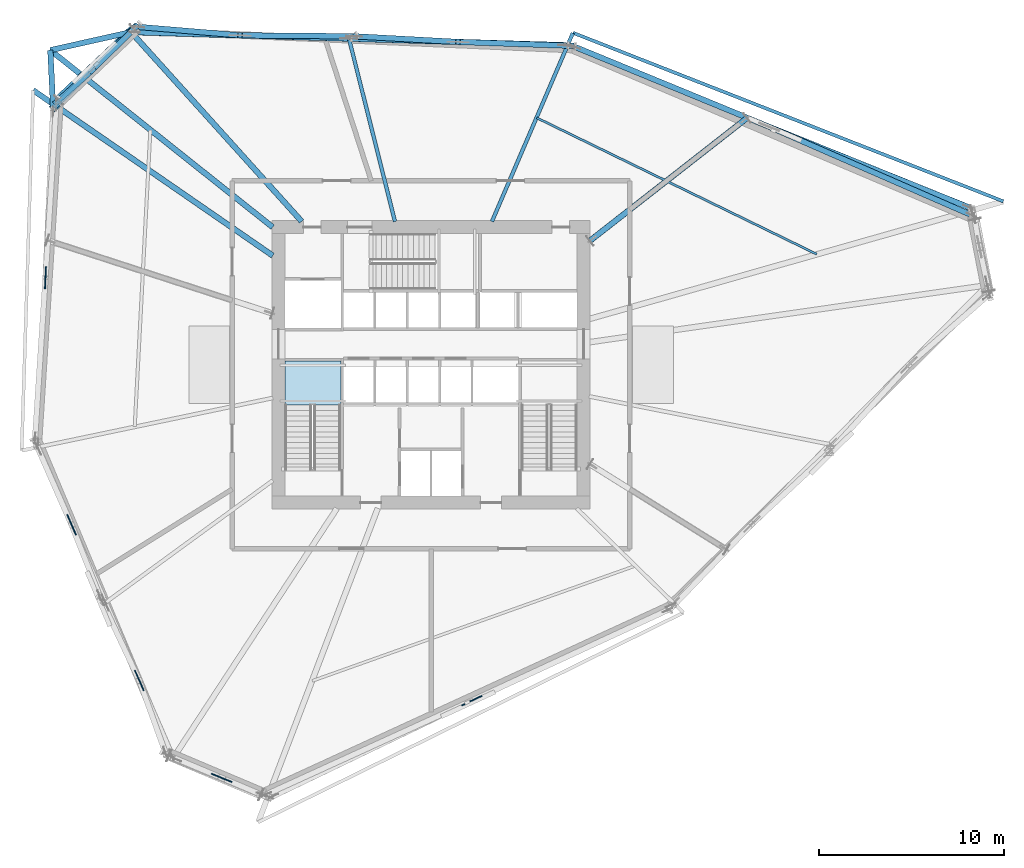
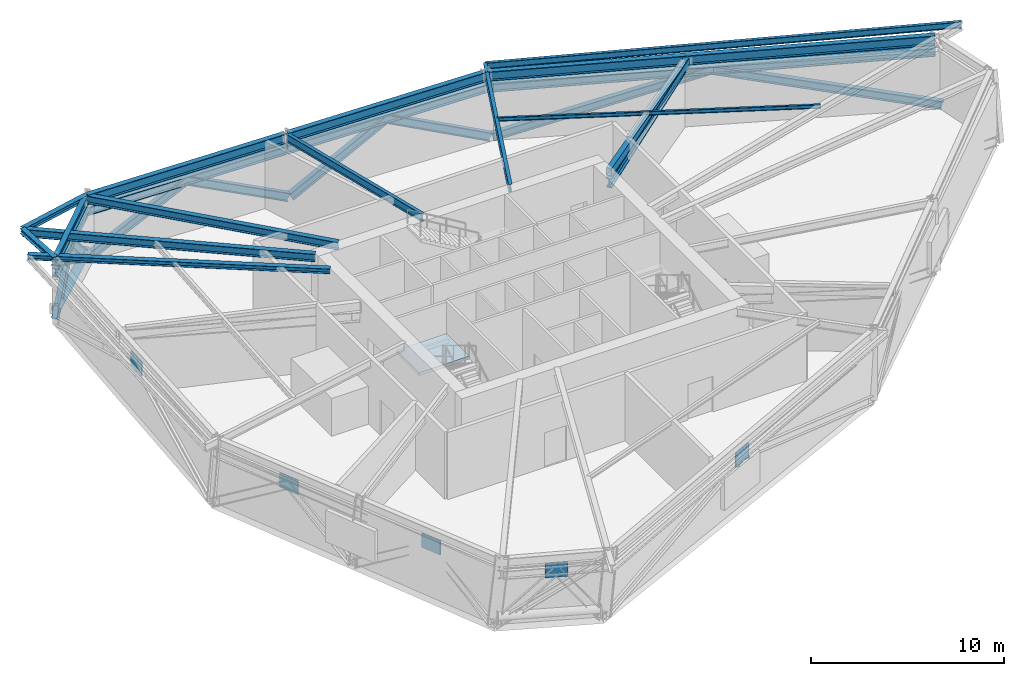
# One storey, part 3 of 15: 16 members, 13 beams, 5 plates, 1 slab, 1 element without a shape of its own.
"""IFC4 building model written with IfcOpenShell, lengths in metres."""

from ifc_helpers import new_model, si_unit, direction, frame, origin, origin_2d, place, context, subcontext, project, spatial, polyline, rectangle, hollow_rectangle, hollow_circle, i_section, outline, extrude, source, transform, mapped, material, layer, layer_set, material_profile, profile_set, type_object, element, aggregate, save


model = new_model("IFC4")

# Units and contexts
model_context = context("Model", 3, precision=1e-05, world=origin(), true_north=direction((0.0, 1.0)))
body_context = subcontext(model_context, "Body", "Model", "MODEL_VIEW")
ifc_project = project(units=[si_unit("LENGTHUNIT", "METRE"), si_unit("AREAUNIT", "SQUARE_METRE"), si_unit("VOLUMEUNIT", "CUBIC_METRE"), si_unit("PLANEANGLEUNIT", "RADIAN"), si_unit("MASSUNIT", "GRAM", prefix="KILO")], contexts=[model_context])

# Site, building, storey
site_placement = place(None, origin())
site = spatial("IfcSite", under=ifc_project, at=site_placement, CompositionType="ELEMENT")
building_placement = place(site_placement, origin())
building = spatial("IfcBuilding", under=site, at=building_placement, Name="Olszyna Solenne Hotel", CompositionType="ELEMENT")
storey_placement = place(building_placement, frame((0.0, 0.0, 79.89990234375)))
storey = spatial("IfcBuildingStorey", under=building, at=storey_placement, Name="L20", CompositionType="ELEMENT", Elevation=79.89990234375)

# Beams
ifc_material_1 = material(Name="Steel S355J2", Category="steel")
ifc_material_profile_1 = material_profile(ifc_material_1, i_section(OverallWidth=0.300048828125, OverallDepth=0.60009765625, WebThickness=0.015380859375, FlangeThickness=0.030029296875, at=origin_2d()), Name="HEB 600", Category="load-bearing")
ifc_profile_set_1 = profile_set([ifc_material_profile_1], Name="Steel S355J2")
beam_type_1 = type_object("IfcBeamType", Name="BM-S2", PredefinedType="BEAM", material=ifc_profile_set_1)
shared_shape_1 = source(origin(), body_context, "Body", "SweptSolid", [
    extrude(i_section(OverallWidth=0.300048828125, OverallDepth=0.60009765625, WebThickness=0.015380859375, FlangeThickness=0.030029296875, at=origin_2d()), origin(), (0.0, 0.0, 1.0), 23.455322265625),
])
beam_1_placement = place(storey_placement, frame((67.153076171875, 35.091552734375, 3.9501953125), z_axis=(-0.927379388636, 0.374122265486, 0.0), x_axis=(-0.374122265486, -0.927379388636, 0.0)))
element("IfcBeam", 1, at=beam_1_placement, inside=storey, type_object=beam_type_1, Name="Perimeter spandrel beam BM-S2 B-L20-0601", PredefinedType="BEAM", context=body_context, shape_type="MappedRepresentation", body=[
    mapped(shared_shape_1, transform((0.0, 0.0, 0.0), x_axis=(1.0, 0.0, 0.0), y_axis=(0.0, 1.0, 0.0), z_axis=(0.0, 0.0, 1.0), scale=1.0)),
])
shared_shape_2 = source(origin(), body_context, "Body", "SweptSolid", [
    extrude(i_section(OverallWidth=0.300048828125, OverallDepth=0.60009765625, WebThickness=0.015380859375, FlangeThickness=0.030029296875, at=origin_2d()), origin(), (0.0, 0.0, 1.0), 11.66748046875),
])
beam_2_placement = place(storey_placement, frame((45.285400390625, 43.89111328125, 3.9501953125), z_axis=(-0.999548445132, 0.030048391543, 0.0), x_axis=(-0.030048391543, -0.999548445132, 0.0)))
element("IfcBeam", 2, at=beam_2_placement, inside=storey, type_object=beam_type_1, Name="Perimeter spandrel beam BM-S2 B-L20-0602", PredefinedType="BEAM", context=body_context, shape_type="MappedRepresentation", body=[
    mapped(shared_shape_2, transform((0.0, 0.0, 0.0), x_axis=(1.0, 0.0, 0.0), y_axis=(0.0, 1.0, 0.0), z_axis=(0.0, 0.0, 1.0), scale=1.0)),
])
shared_shape_3 = source(origin(), body_context, "Body", "SweptSolid", [
    extrude(i_section(OverallWidth=0.300048828125, OverallDepth=0.60009765625, WebThickness=0.015380859375, FlangeThickness=0.030029296875, at=origin_2d()), origin(), (0.0, 0.0, 1.0), 11.667724609375),
])
beam_3_placement = place(storey_placement, frame((33.503173828125, 44.245361328125, 3.9501953125), z_axis=(-0.999547835352, 0.030068668789, 0.0), x_axis=(-0.030068668789, -0.999547835352, 0.0)))
element("IfcBeam", 3, at=beam_3_placement, inside=storey, type_object=beam_type_1, Name="Perimeter spandrel beam BM-S2 B-L20-0603", PredefinedType="BEAM", context=body_context, shape_type="MappedRepresentation", body=[
    mapped(shared_shape_3, transform((0.0, 0.0, 0.0), x_axis=(1.0, 0.0, 0.0), y_axis=(0.0, 1.0, 0.0), z_axis=(0.0, 0.0, 1.0), scale=1.0)),
])
shared_shape_4 = source(origin(), body_context, "Body", "SweptSolid", [
    extrude(i_section(OverallWidth=0.300048828125, OverallDepth=0.60009765625, WebThickness=0.015380859375, FlangeThickness=0.030029296875, at=origin_2d()), origin(), (0.0, 0.0, 1.0), 5.767822265625),
])
beam_4_placement = place(storey_placement, frame((21.73779296875, 44.555908203125, 3.9501953125), z_axis=(-0.715667896699, -0.69844073595, 0.0), x_axis=(0.69844073595, -0.715667896699, 0.0)))
element("IfcBeam", 4, at=beam_4_placement, inside=storey, type_object=beam_type_1, Name="Perimeter spandrel beam BM-S2 B-L20-0604", PredefinedType="BEAM", context=body_context, shape_type="MappedRepresentation", body=[
    mapped(shared_shape_4, transform((0.0, 0.0, 0.0), x_axis=(1.0, 0.0, 0.0), y_axis=(0.0, 1.0, 0.0), z_axis=(0.0, 0.0, 1.0), scale=1.0)),
])
ifc_material_profile_2 = material_profile(ifc_material_1, i_section(OverallWidth=0.199951171875, OverallDepth=0.5, WebThickness=0.01025390625, FlangeThickness=0.01611328125, at=origin_2d()), Name="IPE 500", Category="load-bearing")
ifc_profile_set_2 = profile_set([ifc_material_profile_2], Name="Steel S355J2")
beam_type_2 = type_object("IfcBeamType", Name="BM-F3", PredefinedType="BEAM", material=ifc_profile_set_2)
shared_shape_5 = source(origin(), body_context, "Body", "SweptSolid", [
    extrude(i_section(OverallWidth=0.199951171875, OverallDepth=0.5, WebThickness=0.01025390625, FlangeThickness=0.01611328125, at=origin_2d()), origin(), (0.0, 0.0, 1.0), 11.085693359375),
])
beam_5_placement = place(storey_placement, frame((45.66650390625, 44.541015625, 4.0), z_axis=(-0.394392366564, -0.918942142464, 0.0), x_axis=(0.918942142464, -0.394392366564, 0.0)))
element("IfcBeam", 5, at=beam_5_placement, inside=storey, type_object=beam_type_2, Name="Radial floor girder BM-F3 B-L20-0614", PredefinedType="BEAM", context=body_context, shape_type="MappedRepresentation", body=[
    mapped(shared_shape_5, transform((0.0, 0.0, 0.0), x_axis=(1.0, 0.0, 0.0), y_axis=(0.0, 1.0, 0.0), z_axis=(0.0, 0.0, 1.0), scale=1.0)),
])
shared_shape_6 = source(origin(), body_context, "Body", "SweptSolid", [
    extrude(i_section(OverallWidth=0.199951171875, OverallDepth=0.5, WebThickness=0.01025390625, FlangeThickness=0.01611328125, at=origin_2d()), origin(), (0.0, 0.0, 1.0), 10.139892578125),
])
beam_6_placement = place(storey_placement, frame((33.577880859375, 44.185302734375, 4.0), z_axis=(0.243878051245, -0.969805906417, 0.0), x_axis=(0.969805906417, 0.243878051245, 0.0)))
element("IfcBeam", 6, at=beam_6_placement, inside=storey, type_object=beam_type_2, Name="Radial floor girder BM-F3 B-L20-0615", PredefinedType="BEAM", context=body_context, shape_type="MappedRepresentation", body=[
    mapped(shared_shape_6, transform((0.0, 0.0, 0.0), x_axis=(1.0, 0.0, 0.0), y_axis=(0.0, 1.0, 0.0), z_axis=(0.0, 0.0, 1.0), scale=1.0)),
])
ifc_material_profile_3 = material_profile(ifc_material_1, i_section(OverallWidth=0.300048828125, OverallDepth=0.489990234375, WebThickness=0.011962890625, FlangeThickness=0.02294921875, at=origin_2d()), Name="HEA 500", Category="load-bearing")
ifc_profile_set_3 = profile_set([ifc_material_profile_3], Name="Steel S355J2")
beam_type_3 = type_object("IfcBeamType", Name="BM-G1", PredefinedType="BEAM", material=ifc_profile_set_3)
shared_shape_7 = source(origin(), body_context, "Body", "SweptSolid", [
    extrude(i_section(OverallWidth=0.300048828125, OverallDepth=0.489990234375, WebThickness=0.011962890625, FlangeThickness=0.02294921875, at=origin_2d()), origin(), (0.0, 0.0, 1.0), 13.7177734375),
])
beam_7_placement = place(storey_placement, frame((21.821044921875, 44.55322265625, 4.005126953125), z_axis=(0.669446397132, -0.742860364649, 0.0), x_axis=(0.742860364649, 0.669446397132, 0.0)))
element("IfcBeam", 7, at=beam_7_placement, inside=storey, type_object=beam_type_3, Name="Radial floor girder BM-G1 B-L20-0616", PredefinedType="BEAM", context=body_context, shape_type="MappedRepresentation", body=[
    mapped(shared_shape_7, transform((0.0, 0.0, 0.0), x_axis=(1.0, 0.0, 0.0), y_axis=(0.0, 1.0, 0.0), z_axis=(0.0, 0.0, 1.0), scale=1.0)),
])
shared_shape_8 = source(origin(), body_context, "Body", "SweptSolid", [
    extrude(i_section(OverallWidth=0.300048828125, OverallDepth=0.489990234375, WebThickness=0.011962890625, FlangeThickness=0.02294921875, at=origin_2d()), origin(), (0.0, 0.0, 1.0), 15.3486328125),
])
beam_8_placement = place(storey_placement, frame((17.428466796875, 43.606201171875, 4.005126953125), z_axis=(0.782433709751, -0.62273388365, 0.0), x_axis=(0.62273388365, 0.782433709751, 0.0)))
element("IfcBeam", 8, at=beam_8_placement, inside=storey, type_object=beam_type_3, Name="Radial floor girder BM-G1 B-L20-0617", PredefinedType="BEAM", context=body_context, shape_type="MappedRepresentation", body=[
    mapped(shared_shape_8, transform((0.0, 0.0, 0.0), x_axis=(1.0, 0.0, 0.0), y_axis=(0.0, 1.0, 0.0), z_axis=(0.0, 0.0, 1.0), scale=1.0)),
])
ifc_material_profile_4 = material_profile(ifc_material_1, i_section(OverallWidth=0.300048828125, OverallDepth=0.31005859375, WebThickness=0.009033203125, FlangeThickness=0.015380859375, at=origin_2d()), Name="HEA 320", Category="load-bearing")
ifc_profile_set_4 = profile_set([ifc_material_profile_4], Name="Steel S355J2")
beam_type_4 = type_object("IfcBeamType", Name="BM-G3", PredefinedType="BEAM", material=ifc_profile_set_4)
shared_shape_9 = source(origin(), body_context, "Body", "SweptSolid", [
    extrude(i_section(OverallWidth=0.300048828125, OverallDepth=0.31005859375, WebThickness=0.009033203125, FlangeThickness=0.015380859375, at=origin_2d()), origin(), (0.0, 0.0, 1.0), 4.476318359375),
])
beam_9_placement = place(storey_placement, frame((21.78076171875, 44.597900390625, 4.09521484375), z_axis=(-0.975778538062, -0.218760701815, 0.0), x_axis=(0.218760701815, -0.975778538062, 0.0)))
element("IfcBeam", 9, at=beam_9_placement, inside=storey, type_object=beam_type_4, Name="Prism side edge beam BM-G3 B-L20-0624", PredefinedType="BEAM", context=body_context, shape_type="MappedRepresentation", body=[
    mapped(shared_shape_9, transform((0.0, 0.0, 0.0), x_axis=(1.0, 0.0, 0.0), y_axis=(0.0, 1.0, 0.0), z_axis=(0.0, 0.0, 1.0), scale=1.0)),
])
shared_shape_10 = source(origin(), body_context, "Body", "SweptSolid", [
    extrude(i_section(OverallWidth=0.300048828125, OverallDepth=0.31005859375, WebThickness=0.009033203125, FlangeThickness=0.015380859375, at=origin_2d()), origin(), (0.0, 0.0, 1.0), 3.13720703125),
])
beam_10_placement = place(storey_placement, frame((17.56689453125, 40.4853515625, 4.09521484375), z_axis=(-0.049106959216, 0.998793525488, 0.0), x_axis=(-0.998793525488, -0.049106959216, 0.0)))
element("IfcBeam", 10, at=beam_10_placement, inside=storey, type_object=beam_type_4, Name="Prism side edge beam BM-G3 B-L20-0625", PredefinedType="BEAM", context=body_context, shape_type="MappedRepresentation", body=[
    mapped(shared_shape_10, transform((0.0, 0.0, 0.0), x_axis=(1.0, 0.0, 0.0), y_axis=(0.0, 1.0, 0.0), z_axis=(0.0, 0.0, 1.0), scale=1.0)),
])
shared_shape_11 = source(origin(), body_context, "Body", "SweptSolid", [
    extrude(i_section(OverallWidth=0.300048828125, OverallDepth=0.31005859375, WebThickness=0.009033203125, FlangeThickness=0.015380859375, at=origin_2d()), origin(), (0.0, 0.0, 1.0), 15.74462890625),
])
beam_11_placement = place(storey_placement, frame((16.483642578125, 41.451904296875, 4.09521484375), z_axis=(0.822979060276, -0.568071708807, 0.0), x_axis=(0.568071708807, 0.822979060276, 0.0)))
element("IfcBeam", 11, at=beam_11_placement, inside=storey, type_object=beam_type_4, Name="Loggia/prism radial back-span girder BM-G3 B-L20-0626", PredefinedType="BEAM", context=body_context, shape_type="MappedRepresentation", body=[
    mapped(shared_shape_11, transform((0.0, 0.0, 0.0), x_axis=(1.0, 0.0, 0.0), y_axis=(0.0, 1.0, 0.0), z_axis=(0.0, 0.0, 1.0), scale=1.0)),
])
ifc_material_profile_5 = material_profile(ifc_material_1, i_section(OverallWidth=0.1201171875, OverallDepth=0.239990234375, WebThickness=0.006103515625, FlangeThickness=0.009765625, at=origin_2d()), Name="IPE 240", Category="load-bearing")
ifc_profile_set_5 = profile_set([ifc_material_profile_5], Name="Steel S355J2")
beam_type_5 = type_object("IfcBeamType", Name="JS-03", PredefinedType="JOIST", material=ifc_profile_set_5)
shared_shape_12 = source(origin(), body_context, "Body", "SweptSolid", [
    extrude(i_section(OverallWidth=0.1201171875, OverallDepth=0.239990234375, WebThickness=0.006103515625, FlangeThickness=0.009765625, at=origin_2d()), origin(), (0.0, 0.0, 1.0), 16.830810546875),
])
beam_12_placement = place(storey_placement, frame((58.852783203125, 32.58837890625, 4.130126953125), z_axis=(-0.899032186964, 0.437882549096, 0.0), x_axis=(-0.437882549096, -0.899032186964, 0.0)))
element("IfcBeam", 12, at=beam_12_placement, inside=storey, type_object=beam_type_5, Name="Secondary composite floor joist JS-03 B-L20-0627", PredefinedType="JOIST", context=body_context, shape_type="MappedRepresentation", body=[
    mapped(shared_shape_12, transform((0.0, 0.0, 0.0), x_axis=(1.0, 0.0, 0.0), y_axis=(0.0, 1.0, 0.0), z_axis=(0.0, 0.0, 1.0), scale=1.0)),
])
ifc_material_profile_6 = material_profile(ifc_material_1, i_section(OverallWidth=0.179931640625, OverallDepth=0.39990234375, WebThickness=0.008544921875, FlangeThickness=0.013427734375, at=origin_2d()), Name="IPE 400", Category="load-bearing")
ifc_profile_set_6 = profile_set([ifc_material_profile_6], Name="Steel S355J2")
beam_type_6 = type_object("IfcBeamType", Name="BM-F5", PredefinedType="BEAM", material=ifc_profile_set_6)
shared_shape_13 = source(origin(), body_context, "Body", "SweptSolid", [
    extrude(i_section(OverallWidth=0.179931640625, OverallDepth=0.39990234375, WebThickness=0.008544921875, FlangeThickness=0.013427734375, at=origin_2d()), origin(), (0.0, 0.0, 1.0), 24.997314453125),
])
beam_13_placement = place(storey_placement, frame((68.949951171875, 35.443115234375, 4.050048828125), z_axis=(-0.931129328635, 0.3646891462, 0.0), x_axis=(-0.3646891462, -0.931129328635, 0.0)))
element("IfcBeam", 13, at=beam_13_placement, inside=storey, type_object=beam_type_6, Name="Loggia outer edge beam BM-F5 B-L20-0630", PredefinedType="BEAM", context=body_context, shape_type="MappedRepresentation", body=[
    mapped(shared_shape_13, transform((0.0, 0.0, 0.0), x_axis=(1.0, 0.0, 0.0), y_axis=(0.0, 1.0, 0.0), z_axis=(0.0, 0.0, 1.0), scale=1.0)),
])

# Members
ifc_material_2 = material(Name="Steel S460M", Category="steel")
ifc_material_profile_7 = material_profile(ifc_material_2, i_section(OverallWidth=0.406005859375, OverallDepth=0.416015625, WebThickness=0.026611328125, FlangeThickness=0.04150390625, at=origin_2d()), Name="HD 400x382", Category="load-bearing")
ifc_profile_set_7 = profile_set([ifc_material_profile_7], Name="Steel S460M")
member_type_1 = type_object("IfcMemberType", Name="BR-T2", PredefinedType="BRACE", material=ifc_profile_set_7)
shared_shape_14 = source(origin(), body_context, "Body", "SweptSolid", [
    extrude(i_section(OverallWidth=0.406005859375, OverallDepth=0.416015625, WebThickness=0.026611328125, FlangeThickness=0.04150390625, at=origin_2d()), origin(), (0.0, 0.0, 1.0), 7.40673828125),
])
member_1_placement = place(storey_placement, frame((22.059326171875, 44.888427734375, 0.010009765625), z_axis=(-0.606540956393, -0.594476721295, 0.52792565391), x_axis=(0.699968572889, -0.714173646229, 0.0)))
element("IfcMember", 14, at=member_1_placement, inside=storey, type_object=member_type_1, Name="Perimeter braced-tube diagonal BR-T2 BR-L20-2", PredefinedType="BRACE", context=body_context, shape_type="MappedRepresentation", body=[
    mapped(shared_shape_14, transform((0.0, 0.0, 0.0), x_axis=(1.0, 0.0, 0.0), y_axis=(0.0, 1.0, 0.0), z_axis=(0.0, 0.0, 1.0), scale=1.0)),
])
ifc_material_profile_8 = material_profile(ifc_material_1, i_section(OverallWidth=0.305908203125, OverallDepth=0.52392578125, WebThickness=0.02099609375, FlangeThickness=0.0400390625, at=origin_2d()), Name="HEM 500", Category="load-bearing")
ifc_profile_set_8 = profile_set([ifc_material_profile_8], Name="Steel S355J2")
member_type_2 = type_object("IfcMemberType", Name="CH-TR1", PredefinedType="CHORD", material=ifc_profile_set_8)
shared_shape_15 = source(origin(), body_context, "Body", "SweptSolid", [
    extrude(i_section(OverallWidth=0.305908203125, OverallDepth=0.52392578125, WebThickness=0.02099609375, FlangeThickness=0.0400390625, at=origin_2d()), origin(), (0.0, 0.0, 1.0), 23.495361328125),
])
member_2_placement = place(storey_placement, frame((67.171630859375, 35.083984375, 3.2001953125), z_axis=(-0.927376935841, 0.374128345452, 0.0), x_axis=(-0.374128345452, -0.927376935841, 0.0)))
element("IfcMember", 15, at=member_2_placement, inside=storey, type_object=member_type_2, Name="Belt truss upper chord CH-TR1 CH-L20-02", PredefinedType="CHORD", context=body_context, shape_type="MappedRepresentation", body=[
    mapped(shared_shape_15, transform((0.0, 0.0, 0.0), x_axis=(1.0, 0.0, 0.0), y_axis=(0.0, 1.0, 0.0), z_axis=(0.0, 0.0, 1.0), scale=1.0)),
])
ifc_material_profile_9 = material_profile(ifc_material_1, i_section(OverallWidth=0.300048828125, OverallDepth=0.5, WebThickness=0.014404296875, FlangeThickness=0.028076171875, at=origin_2d()), Name="HEB 500", Category="load-bearing")
ifc_profile_set_9 = profile_set([ifc_material_profile_9], Name="Steel S355J2")
member_type_3 = type_object("IfcMemberType", Name="BR-BL1", PredefinedType="BRACE", material=ifc_profile_set_9)
shared_shape_16 = source(origin(), body_context, "Body", "SweptSolid", [
    extrude(i_section(OverallWidth=0.300048828125, OverallDepth=0.5, WebThickness=0.014404296875, FlangeThickness=0.028076171875, at=origin_2d()), origin(), (0.0, 0.0, 1.0), 12.482666015625),
])
member_3_placement = place(storey_placement, frame((67.3408203125, 34.652587890625, 0.02001953125), z_axis=(-0.886329213143, 0.386670091662, 0.254768063429), x_axis=(-0.399864753144, -0.916574153679, 0.0)))
element("IfcMember", 16, at=member_3_placement, inside=storey, type_object=member_type_3, Name="Belt truss diagonal BR-BL1 BT-L20-02-1", PredefinedType="BRACE", context=body_context, shape_type="MappedRepresentation", body=[
    mapped(shared_shape_16, transform((0.0, 0.0, 0.0), x_axis=(1.0, 0.0, 0.0), y_axis=(0.0, 1.0, 0.0), z_axis=(0.0, 0.0, 1.0), scale=1.0)),
])
shared_shape_17 = source(origin(), body_context, "Body", "SweptSolid", [
    extrude(i_section(OverallWidth=0.300048828125, OverallDepth=0.5, WebThickness=0.014404296875, FlangeThickness=0.028076171875, at=origin_2d()), origin(), (0.0, 0.0, 1.0), 11.890869140625),
])
member_4_placement = place(storey_placement, frame((45.680908203125, 43.837890625, 0.02001953125), z_axis=(0.891126983455, -0.366556611115, 0.267448967478), x_axis=(0.380414334502, 0.924816162329, 0.0)))
element("IfcMember", 17, at=member_4_placement, inside=storey, type_object=member_type_3, Name="Belt truss diagonal BR-BL1 BT-L20-02-2", PredefinedType="BRACE", context=body_context, shape_type="MappedRepresentation", body=[
    mapped(shared_shape_17, transform((0.0, 0.0, 0.0), x_axis=(1.0, 0.0, 0.0), y_axis=(0.0, 1.0, 0.0), z_axis=(0.0, 0.0, 1.0), scale=1.0)),
])
shared_shape_18 = source(origin(), body_context, "Body", "SweptSolid", [
    extrude(i_section(OverallWidth=0.305908203125, OverallDepth=0.52392578125, WebThickness=0.02099609375, FlangeThickness=0.0400390625, at=origin_2d()), origin(), (0.0, 0.0, 1.0), 11.70751953125),
])
member_5_placement = place(storey_placement, frame((45.305419921875, 43.890380859375, 3.2001953125), z_axis=(-0.99954840139, 0.030049846583, 0.0), x_axis=(-0.030049846583, -0.99954840139, 0.0)))
element("IfcMember", 18, at=member_5_placement, inside=storey, type_object=member_type_2, Name="Belt truss upper chord CH-TR1 CH-L20-03", PredefinedType="CHORD", context=body_context, shape_type="MappedRepresentation", body=[
    mapped(shared_shape_18, transform((0.0, 0.0, 0.0), x_axis=(1.0, 0.0, 0.0), y_axis=(0.0, 1.0, 0.0), z_axis=(0.0, 0.0, 1.0), scale=1.0)),
])
shared_shape_19 = source(origin(), body_context, "Body", "SweptSolid", [
    extrude(i_section(OverallWidth=0.300048828125, OverallDepth=0.5, WebThickness=0.014404296875, FlangeThickness=0.028076171875, at=origin_2d()), origin(), (0.0, 0.0, 1.0), 6.926513671875),
])
member_6_placement = place(storey_placement, frame((45.60400390625, 43.85546875, 0.02001953125), z_axis=(-0.887845838792, 0.03045372205, 0.459132156739), x_axis=(-0.03428052658, -0.999412250024, 0.0)))
element("IfcMember", 19, at=member_6_placement, inside=storey, type_object=member_type_3, Name="Belt truss diagonal BR-BL1 BT-L20-03-1", PredefinedType="BRACE", context=body_context, shape_type="MappedRepresentation", body=[
    mapped(shared_shape_19, transform((0.0, 0.0, 0.0), x_axis=(1.0, 0.0, 0.0), y_axis=(0.0, 1.0, 0.0), z_axis=(0.0, 0.0, 1.0), scale=1.0)),
])
shared_shape_20 = source(origin(), body_context, "Body", "SweptSolid", [
    extrude(i_section(OverallWidth=0.300048828125, OverallDepth=0.5, WebThickness=0.014404296875, FlangeThickness=0.028076171875, at=origin_2d()), origin(), (0.0, 0.0, 1.0), 6.414794921875),
])
member_7_placement = place(storey_placement, frame((33.8916015625, 44.369140625, 0.02001953125), z_axis=(0.867177338007, -0.047193324517, 0.495758262229), x_axis=(0.054341356021, 0.998522416887, 0.0)))
element("IfcMember", 20, at=member_7_placement, inside=storey, type_object=member_type_3, Name="Belt truss diagonal BR-BL1 BT-L20-03-2", PredefinedType="BRACE", context=body_context, shape_type="MappedRepresentation", body=[
    mapped(shared_shape_20, transform((0.0, 0.0, 0.0), x_axis=(1.0, 0.0, 0.0), y_axis=(0.0, 1.0, 0.0), z_axis=(0.0, 0.0, 1.0), scale=1.0)),
])
shared_shape_21 = source(origin(), body_context, "Body", "SweptSolid", [
    extrude(i_section(OverallWidth=0.305908203125, OverallDepth=0.52392578125, WebThickness=0.02099609375, FlangeThickness=0.0400390625, at=origin_2d()), origin(), (0.0, 0.0, 1.0), 11.707763671875),
])
member_8_placement = place(storey_placement, frame((33.523193359375, 44.24462890625, 3.2001953125), z_axis=(-0.999547793668, 0.030070054419, 0.0), x_axis=(-0.030070054419, -0.999547793668, 0.0)))
element("IfcMember", 21, at=member_8_placement, inside=storey, type_object=member_type_2, Name="Belt truss upper chord CH-TR1 CH-L20-04", PredefinedType="CHORD", context=body_context, shape_type="MappedRepresentation", body=[
    mapped(shared_shape_21, transform((0.0, 0.0, 0.0), x_axis=(1.0, 0.0, 0.0), y_axis=(0.0, 1.0, 0.0), z_axis=(0.0, 0.0, 1.0), scale=1.0)),
])
shared_shape_22 = source(origin(), body_context, "Body", "SweptSolid", [
    extrude(i_section(OverallWidth=0.300048828125, OverallDepth=0.5, WebThickness=0.014404296875, FlangeThickness=0.028076171875, at=origin_2d()), origin(), (0.0, 0.0, 1.0), 6.91455078125),
])
member_9_placement = place(storey_placement, frame((33.811767578125, 44.372802734375, 0.02001953125), z_axis=(-0.887930917081, 0.006920409565, 0.459924770395), x_axis=(-0.007793623641, -0.999969629254, 0.0)))
element("IfcMember", 22, at=member_9_placement, inside=storey, type_object=member_type_3, Name="Belt truss diagonal BR-BL1 BT-L20-04-1", PredefinedType="BRACE", context=body_context, shape_type="MappedRepresentation", body=[
    mapped(shared_shape_22, transform((0.0, 0.0, 0.0), x_axis=(1.0, 0.0, 0.0), y_axis=(0.0, 1.0, 0.0), z_axis=(0.0, 0.0, 1.0), scale=1.0)),
])
shared_shape_23 = source(origin(), body_context, "Body", "SweptSolid", [
    extrude(i_section(OverallWidth=0.300048828125, OverallDepth=0.5, WebThickness=0.014404296875, FlangeThickness=0.028076171875, at=origin_2d()), origin(), (0.0, 0.0, 1.0), 6.43310546875),
])
member_10_placement = place(storey_placement, frame((22.099365234375, 44.88671875, 0.02001953125), z_axis=(0.866246431102, -0.072446527511, 0.494336546549), x_axis=(0.083341743504, 0.996521025262, 0.0)))
element("IfcMember", 23, at=member_10_placement, inside=storey, type_object=member_type_3, Name="Belt truss diagonal BR-BL1 BT-L20-04-2", PredefinedType="BRACE", context=body_context, shape_type="MappedRepresentation", body=[
    mapped(shared_shape_23, transform((0.0, 0.0, 0.0), x_axis=(1.0, 0.0, 0.0), y_axis=(0.0, 1.0, 0.0), z_axis=(0.0, 0.0, 1.0), scale=1.0)),
])
shared_shape_24 = source(origin(), body_context, "Body", "SweptSolid", [
    extrude(i_section(OverallWidth=0.305908203125, OverallDepth=0.52392578125, WebThickness=0.02099609375, FlangeThickness=0.0400390625, at=origin_2d()), origin(), (0.0, 0.0, 1.0), 5.80810546875),
])
member_11_placement = place(storey_placement, frame((21.752197265625, 44.570068359375, 3.2001953125), z_axis=(-0.715629732494, -0.698479839345, 0.0), x_axis=(0.698479839345, -0.715629732494, 0.0)))
element("IfcMember", 24, at=member_11_placement, inside=storey, type_object=member_type_2, Name="Belt truss upper chord CH-TR1 CH-L20-05", PredefinedType="CHORD", context=body_context, shape_type="MappedRepresentation", body=[
    mapped(shared_shape_24, transform((0.0, 0.0, 0.0), x_axis=(1.0, 0.0, 0.0), y_axis=(0.0, 1.0, 0.0), z_axis=(0.0, 0.0, 1.0), scale=1.0)),
])
shared_shape_25 = source(origin(), body_context, "Body", "SweptSolid", [
    extrude(i_section(OverallWidth=0.300048828125, OverallDepth=0.5, WebThickness=0.014404296875, FlangeThickness=0.028076171875, at=origin_2d()), origin(), (0.0, 0.0, 1.0), 4.58740234375),
])
member_12_placement = place(storey_placement, frame((22.0302734375, 44.86083984375, 0.02001953125), z_axis=(-0.513674082836, -0.505531507756, 0.69323649016), x_axis=(0.701435222196, -0.712733210299, 0.0)))
element("IfcMember", 25, at=member_12_placement, inside=storey, type_object=member_type_3, Name="Belt truss diagonal BR-BL1 BT-L20-05-1", PredefinedType="BRACE", context=body_context, shape_type="MappedRepresentation", body=[
    mapped(shared_shape_25, transform((0.0, 0.0, 0.0), x_axis=(1.0, 0.0, 0.0), y_axis=(0.0, 1.0, 0.0), z_axis=(0.0, 0.0, 1.0), scale=1.0)),
])
shared_shape_26 = source(origin(), body_context, "Body", "SweptSolid", [
    extrude(i_section(OverallWidth=0.300048828125, OverallDepth=0.5, WebThickness=0.014404296875, FlangeThickness=0.028076171875, at=origin_2d()), origin(), (0.0, 0.0, 1.0), 4.080322265625),
])
member_13_placement = place(storey_placement, frame((17.77197265625, 40.83349609375, 0.02001953125), z_axis=(0.466108889277, 0.418660320702, 0.779401077243), x_axis=(-0.668225713738, 0.743958597974, 0.0)))
element("IfcMember", 26, at=member_13_placement, inside=storey, type_object=member_type_3, Name="Belt truss diagonal BR-BL1 BT-L20-05-2", PredefinedType="BRACE", context=body_context, shape_type="MappedRepresentation", body=[
    mapped(shared_shape_26, transform((0.0, 0.0, 0.0), x_axis=(1.0, 0.0, 0.0), y_axis=(0.0, 1.0, 0.0), z_axis=(0.0, 0.0, 1.0), scale=1.0)),
])
ifc_material_profile_10 = material_profile(ifc_material_2, i_section(OverallWidth=0.304931640625, OverallDepth=0.6201171875, WebThickness=0.02099609375, FlangeThickness=0.0400390625, at=origin_2d()), Name="HEM 600", Category="load-bearing")
ifc_profile_set_10 = profile_set([ifc_material_profile_10], Name="Steel S460M")
member_type_4 = type_object("IfcMemberType", Name="BR-OU1", PredefinedType="BRACE", material=ifc_profile_set_10)
shared_shape_27 = source(origin(), body_context, "Body", "SweptSolid", [
    extrude(i_section(OverallWidth=0.304931640625, OverallDepth=0.6201171875, WebThickness=0.02099609375, FlangeThickness=0.0400390625, at=origin_2d()), origin(), (0.0, 0.0, 1.0), 10.78271484375),
])
member_14_placement = place(storey_placement, frame((46.60009765625, 33.319091796875, 3.10009765625), z_axis=(0.786349277133, 0.614362259883, 0.064914004536), x_axis=(-0.615660773553, 0.788011301891, 0.0)))
element("IfcMember", 27, at=member_14_placement, inside=storey, type_object=member_type_4, Name="Outrigger truss brace BR-OU1 OU-L20-02", PredefinedType="BRACE", context=body_context, shape_type="MappedRepresentation", body=[
    mapped(shared_shape_27, transform((0.0, 0.0, 0.0), x_axis=(1.0, 0.0, 0.0), y_axis=(0.0, 1.0, 0.0), z_axis=(0.0, 0.0, 1.0), scale=1.0)),
])
ifc_material_profile_11 = material_profile(ifc_material_2, hollow_rectangle(XDim=0.300048828125, YDim=0.5, WallThickness=0.02490234375, at=origin_2d()), Name="RHS 500x300x25", Category="load-bearing")
ifc_profile_set_11 = profile_set([ifc_material_profile_11], Name="Steel S460M")
member_type_5 = type_object("IfcMemberType", Name="CH-OU1", PredefinedType="CHORD", material=ifc_profile_set_11)
shared_shape_28 = source(origin(), body_context, "Body", "SweptSolid", [
    extrude(hollow_rectangle(XDim=0.300048828125, YDim=0.5, WallThickness=0.02490234375, at=origin_2d()), origin(), (0.0, 0.0, 1.0), 10.760009765625),
])
member_15_placement = place(storey_placement, frame((46.60009765625, 33.319091796875, 3.800048828125), z_axis=(0.788011301891, 0.615660773553, 0.0), x_axis=(-0.615660773553, 0.788011301891, 0.0)))
element("IfcMember", 28, at=member_15_placement, inside=storey, type_object=member_type_5, Name="Outrigger collector chord CH-OU1 OC-L20-02", PredefinedType="CHORD", context=body_context, shape_type="MappedRepresentation", body=[
    mapped(shared_shape_28, transform((0.0, 0.0, 0.0), x_axis=(1.0, 0.0, 0.0), y_axis=(0.0, 1.0, 0.0), z_axis=(0.0, 0.0, 1.0), scale=1.0)),
])
ifc_material_profile_12 = material_profile(ifc_material_1, hollow_circle(Radius=0.25390625, WallThickness=0.02001953125, at=origin_2d()), Name="CHS 508x20", Category="load-bearing")
ifc_profile_set_12 = profile_set([ifc_material_profile_12], Name="Steel S355J2")
member_type_6 = type_object("IfcMemberType", Name="BR-TB2", PredefinedType="BRACE", material=ifc_profile_set_12)
shared_shape_29 = source(origin(), body_context, "Body", "SweptSolid", [
    extrude(hollow_circle(Radius=0.25390625, WallThickness=0.02001953125, at=origin_2d()), origin(), (0.0, 0.0, 1.0), 5.5810546875),
])
member_16_placement = place(storey_placement, frame((21.9287109375, 44.7646484375, 0.550048828125), z_axis=(-0.726538649241, -0.687125600715, 0.0), x_axis=(0.687125600715, -0.726538649241, 0.0)))
element("IfcMember", 29, at=member_16_placement, inside=storey, type_object=member_type_6, Name="Belt collar tie BR-TB2 CTB-L20-2", PredefinedType="BRACE", context=body_context, shape_type="MappedRepresentation", body=[
    mapped(shared_shape_29, transform((0.0, 0.0, 0.0), x_axis=(1.0, 0.0, 0.0), y_axis=(0.0, 1.0, 0.0), z_axis=(0.0, 0.0, 1.0), scale=1.0)),
])

# Stair, slab
ifc_material_3 = material(Name="Concrete C40/50", Category="concrete")
stair_type = type_object("IfcStairType", Name="STR-C1", PredefinedType="TWO_QUARTER_WINDING_STAIR", material=ifc_material_3)
stair_placement = place(storey_placement, origin())
stair = element("IfcStair", 30, at=stair_placement, inside=storey, type_object=stair_type, Name="L20 ST1", PredefinedType="TWO_QUARTER_WINDING_STAIR")
ifc_layer = layer(ifc_material_3, 0.18994140625, Name="Concrete C40/50")
ifc_layer_set = layer_set([ifc_layer], Name="Concrete C40/50")
slab_type = type_object("IfcSlabType", Name="SL-LN190", PredefinedType="LANDING", material=ifc_layer_set)
slab_placement = place(storey_placement, frame((0.0, 0.0, 2.050048828125)))
slab = element("IfcSlab", 31, at=slab_placement, type_object=slab_type, Name="ST1 landing 1", PredefinedType="LANDING", context=body_context, shape_type="SweptSolid", body=[
    extrude(outline(polyline([(33.1201171875, 24.429931640625), (33.1201171875, 26.800048828125), (30.10009765625, 26.800048828125), (30.10009765625, 24.429931640625), (33.1201171875, 24.429931640625)])), origin(), (0.0, 0.0, 1.0), 0.199951171875),
])
aggregate(stair, [slab])

# Plates
plate_type = type_object("IfcPlateType", Name="GP-ND1", PredefinedType="USERDEFINED", material=ifc_material_2)
shared_shape_30 = source(origin(), body_context, "Body", "SweptSolid", [
    extrude(rectangle(XDim=1.199951171875, YDim=0.06005859375, at=origin_2d()), origin(), (0.0, 0.0, 1.0), 0.89990234375),
])
for number, where, z_axis, x_axis, name in (
    (32, (17.150634765625, 31.32080078125, 2.750244140625), (0.0, 0.0, 1.0), (-0.045362988129, -0.998970569791, 0.0), "Belt truss node gusset plate TN-L20-06"),
    (33, (18.5634765625, 17.94970703125, 2.750244140625), (0.0, 0.0, 1.0), (0.398749068925, -0.917060074385, 0.0), "Belt truss node gusset plate TN-L20-07"),
    (34, (22.222412109375, 9.536865234375, 2.750244140625), (0.0, 0.0, 1.0), (0.398749068925, -0.917060074385, 0.0), "Belt truss node gusset plate TN-L20-08"),
    (35, (26.68115234375, 4.268310546875, 2.750244140625), (0.0, 0.0, 1.0), (0.927183854567, -0.374606593416, 0.0), "Belt truss node gusset plate TN-L20-09"),
    (36, (40.2080078125, 8.4462890625, 2.750244140625), (0.0, 0.0, 1.0), (0.901228341999, 0.433344522957, 0.0), "Belt truss node gusset plate TN-L20-10"),
):
    element("IfcPlate", number, at=place(storey_placement, frame(where, z_axis=z_axis, x_axis=x_axis)), inside=storey, type_object=plate_type, Name=name, ObjectType="GUSSET_PLATE", PredefinedType="USERDEFINED", context=body_context, shape_type="MappedRepresentation", body=[
        mapped(shared_shape_30, transform((0.0, 0.0, 0.0), x_axis=(1.0, 0.0, 0.0), y_axis=(0.0, 1.0, 0.0), z_axis=(0.0, 0.0, 1.0), scale=1.0)),
    ])

save(model, "model.ifc")
